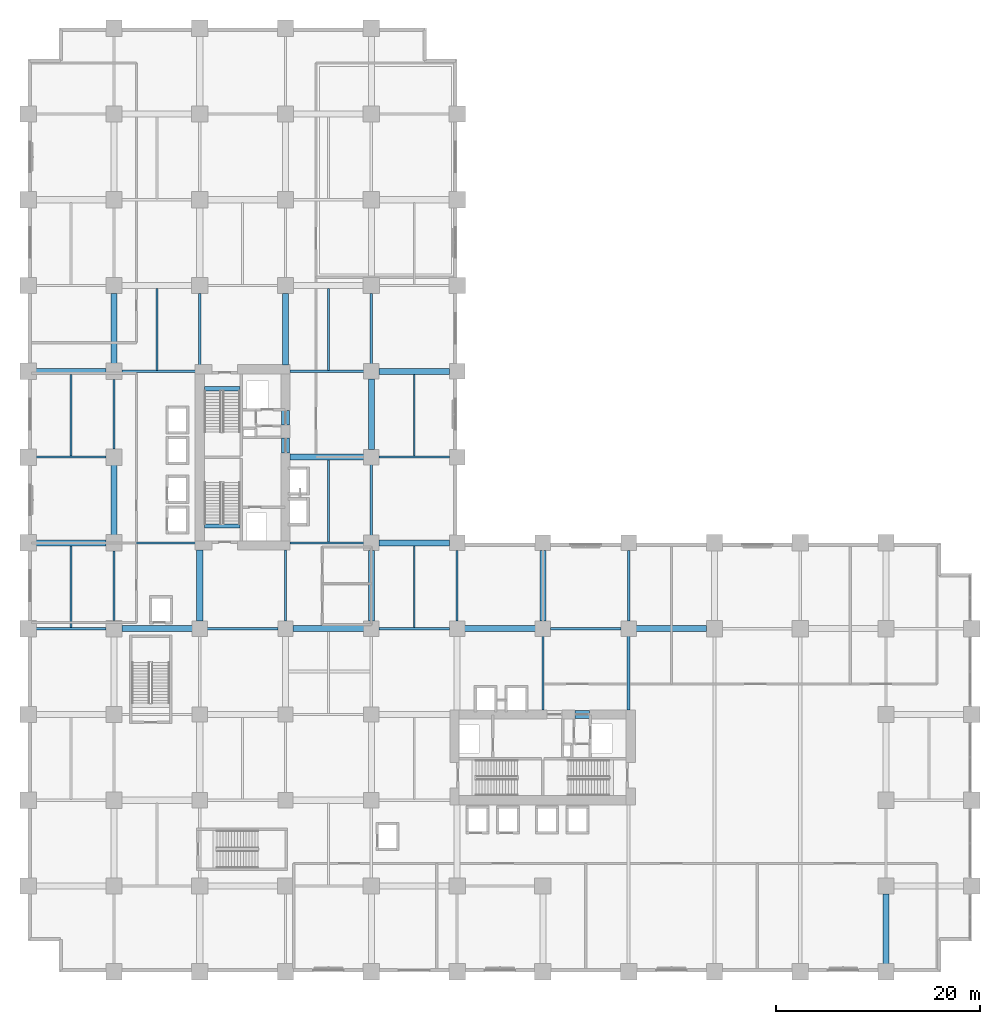
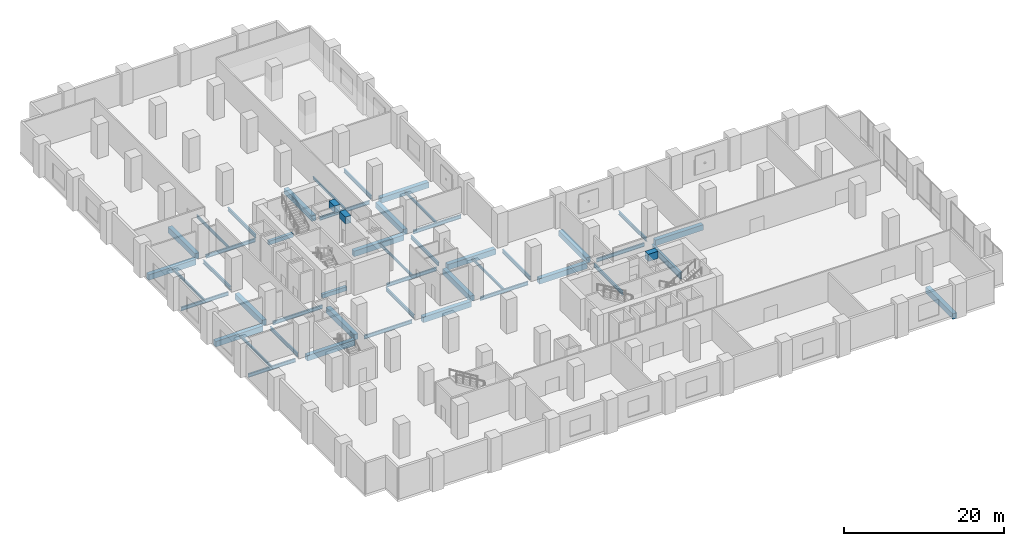
# One storey, part 2 of 23: 49 beams.
"""IFC4 building model written with IfcOpenShell, lengths in metres."""

from ifc_helpers import new_model, si_unit, direction, frame, origin, origin_2d, place, context, subcontext, project, spatial, rectangle, i_section, extrude, material, material_profile, profile_set, type_object, element, save


model = new_model("IFC4")

# Units and contexts
model_context = context("Model", 3, precision=1e-05, world=origin(), true_north=direction((0.0, 1.0)))
body_context = subcontext(model_context, "Body", "Model", "MODEL_VIEW")
ifc_project = project(units=[si_unit("LENGTHUNIT", "METRE"), si_unit("AREAUNIT", "SQUARE_METRE"), si_unit("VOLUMEUNIT", "CUBIC_METRE"), si_unit("PLANEANGLEUNIT", "RADIAN"), si_unit("MASSUNIT", "GRAM", prefix="KILO")], contexts=[model_context])

# Site, building, storey
site_placement = place(None, origin())
site = spatial("IfcSite", under=ifc_project, at=site_placement, CompositionType="ELEMENT")
building_placement = place(site_placement, origin())
building = spatial("IfcBuilding", under=site, at=building_placement, Name="Koriwani Terraces Tower", CompositionType="ELEMENT")
storey_placement = place(building_placement, frame((0.0, 0.0, 20.800048828125)))
storey = spatial("IfcBuildingStorey", under=building, at=storey_placement, Name="L04", CompositionType="ELEMENT", Elevation=20.800048828125)

# Beams
ifc_material_1 = material(Name="Concrete C60/75", Category="concrete")
ifc_material_profile_1 = material_profile(ifc_material_1, rectangle(XDim=0.800048828125, YDim=1.10009765625, at=origin_2d()), Name="Concrete C60/75", Category="LoadBearing")
ifc_profile_set_1 = profile_set([ifc_material_profile_1], Name="Concrete C60/75")
beam_type_1 = type_object("IfcBeamType", Name="BEAM_RC_COUPLING_800X1100", PredefinedType="LINTEL", material=ifc_profile_set_1)
beam_1_placement = place(storey_placement, frame((25.199951171875, 50.800048828125, 4.199951171875), z_axis=(0.0, 1.0, 0.0), x_axis=(-1.0, 0.0, 0.0)))
element("IfcBeam", 1, at=beam_1_placement, inside=storey, type_object=beam_type_1, Name="L04 Core Coupling Lintel Beam WE1", PredefinedType="LINTEL", context=body_context, shape_type="SweptSolid", body=[
    extrude(rectangle(XDim=0.800048828125, YDim=1.10009765625, at=origin_2d()), origin(), (0.0, 0.0, 1.0), 1.47998046875),
])
for number, where, z_axis, x_axis, name in (
    (2, (25.199951171875, 53.550048828125, 4.199951171875), (0.0, 1.0, 0.0), (-1.0, 0.0, 0.0), "L04 Core Coupling Lintel Beam WE2"),
    (3, (53.550048828125, 25.199951171875, 4.199951171875), (1.0, 0.0, 0.0), (0.0, 1.0, 0.0), "L04 Core Coupling Lintel Beam EN2"),
):
    element("IfcBeam", number, at=place(storey_placement, frame(where, z_axis=z_axis, x_axis=x_axis)), inside=storey, type_object=beam_type_1, Name=name, PredefinedType="LINTEL", context=body_context, shape_type="SweptSolid", body=[
        extrude(rectangle(XDim=0.800048828125, YDim=1.10009765625, at=origin_2d()), origin(), (0.0, 0.0, 1.0), 1.39990234375),
    ])
ifc_material_2 = material(Name="Concrete C40/50", Category="concrete")
ifc_material_profile_2 = material_profile(ifc_material_2, rectangle(XDim=0.39990234375, YDim=0.60009765625, at=origin_2d()), Name="Concrete C40/50", Category="LoadBearing")
ifc_profile_set_2 = profile_set([ifc_material_profile_2], Name="Concrete C40/50")
beam_type_2 = type_object("IfcBeamType", Name="BEAM_RC_GRID_400X600", PredefinedType="BEAM", material=ifc_profile_set_2)
for number, where, z_axis, x_axis, name in (
    (4, (17.25, 43.655029296875, -0.300048828125), (1.0, 0.0, 0.0), (0.0, 1.0, 0.0), "L04 Stairwell Header Trimmer Beam ST-W1"),
    (5, (17.25, 57.094970703125, -0.300048828125), (1.0, 0.0, 0.0), (0.0, 1.0, 0.0), "L04 Stairwell Header Trimmer Beam ST-W2"),
):
    element("IfcBeam", number, at=place(storey_placement, frame(where, z_axis=z_axis, x_axis=x_axis)), inside=storey, type_object=beam_type_2, Name=name, PredefinedType="BEAM", context=body_context, shape_type="SweptSolid", body=[
        extrude(rectangle(XDim=0.39990234375, YDim=0.60009765625, at=origin_2d()), origin(), (0.0, 0.0, 1.0), 3.5),
    ])
ifc_material_profile_3 = material_profile(ifc_material_1, rectangle(XDim=0.60009765625, YDim=0.85009765625, at=origin_2d()), Name="Concrete C60/75", Category="LoadBearing")
ifc_profile_set_3 = profile_set([ifc_material_profile_3], Name="Concrete C60/75")
beam_type_3 = type_object("IfcBeamType", Name="BEAM_RC_GRID_600X850", PredefinedType="BEAM", material=ifc_profile_set_3)
beam_2_placement = place(storey_placement, frame((9.179931640625, 33.60009765625, -0.775146484375), z_axis=(1.0, 0.0, 0.0), x_axis=(0.0, 1.0, 0.0)))
element("IfcBeam", 6, at=beam_2_placement, inside=storey, type_object=beam_type_3, Name="L04 Grid Beam E (8.4-16.8m)", PredefinedType="BEAM", context=body_context, shape_type="SweptSolid", body=[
    extrude(rectangle(XDim=0.60009765625, YDim=0.85009765625, at=origin_2d()), origin(), (0.0, 0.0, 1.0), 6.89013671875),
])
beam_3_placement = place(storey_placement, frame((25.929931640625, 33.60009765625, -0.775146484375), z_axis=(1.0, 0.0, 0.0), x_axis=(0.0, 1.0, 0.0)))
element("IfcBeam", 7, at=beam_3_placement, inside=storey, type_object=beam_type_3, Name="L04 Grid Beam E (25.2-33.6m)", PredefinedType="BEAM", context=body_context, shape_type="SweptSolid", body=[
    extrude(rectangle(XDim=0.60009765625, YDim=0.85009765625, at=origin_2d()), origin(), (0.0, 0.0, 1.0), 6.940185546875),
])
beam_4_placement = place(storey_placement, frame((42.72998046875, 33.60009765625, -0.775146484375), z_axis=(1.0, 0.0, 0.0), x_axis=(0.0, 1.0, 0.0)))
element("IfcBeam", 8, at=beam_4_placement, inside=storey, type_object=beam_type_3, Name="L04 Grid Beam E (42.0-50.4m)", PredefinedType="BEAM", context=body_context, shape_type="SweptSolid", body=[
    extrude(rectangle(XDim=0.60009765625, YDim=0.85009765625, at=origin_2d()), origin(), (0.0, 0.0, 1.0), 6.93994140625),
])
beam_5_placement = place(storey_placement, frame((59.530029296875, 33.60009765625, -0.775146484375), z_axis=(1.0, 0.0, 0.0), x_axis=(0.0, 1.0, 0.0)))
element("IfcBeam", 9, at=beam_5_placement, inside=storey, type_object=beam_type_3, Name="L04 Grid Beam E (58.8-67.2m)", PredefinedType="BEAM", context=body_context, shape_type="SweptSolid", body=[
    extrude(rectangle(XDim=0.60009765625, YDim=0.85009765625, at=origin_2d()), origin(), (0.0, 0.0, 1.0), 6.889892578125),
])
beam_6_placement = place(storey_placement, frame((0.780029296875, 42.0, -0.775146484375), z_axis=(1.0, 0.0, 0.0), x_axis=(0.0, 1.0, 0.0)))
element("IfcBeam", 10, at=beam_6_placement, inside=storey, type_object=beam_type_3, Name="L04 Grid Beam F (0.0-8.4m)", PredefinedType="BEAM", context=body_context, shape_type="SweptSolid", body=[
    extrude(rectangle(XDim=0.60009765625, YDim=0.85009765625, at=origin_2d()), origin(), (0.0, 0.0, 1.0), 6.840087890625),
])
beam_7_placement = place(storey_placement, frame((34.330078125, 42.0, -0.775146484375), z_axis=(1.0, 0.0, 0.0), x_axis=(0.0, 1.0, 0.0)))
element("IfcBeam", 11, at=beam_7_placement, inside=storey, type_object=beam_type_3, Name="L04 Grid Beam F (33.6-42.0m)", PredefinedType="BEAM", context=body_context, shape_type="SweptSolid", body=[
    extrude(rectangle(XDim=0.60009765625, YDim=0.85009765625, at=origin_2d()), origin(), (0.0, 0.0, 1.0), 6.93994140625),
])
beam_8_placement = place(storey_placement, frame((25.6298828125, 50.39990234375, -0.775146484375), z_axis=(1.0, 0.0, 0.0), x_axis=(0.0, 1.0, 0.0)))
element("IfcBeam", 12, at=beam_8_placement, inside=storey, type_object=beam_type_3, Name="L04 Grid Beam G (25.2-33.6m)", PredefinedType="BEAM", context=body_context, shape_type="SweptSolid", body=[
    extrude(rectangle(XDim=0.60009765625, YDim=0.85009765625, at=origin_2d()), origin(), (0.0, 0.0, 1.0), 7.240234375),
])
beam_9_placement = place(storey_placement, frame((0.780029296875, 58.800048828125, -0.775146484375), z_axis=(1.0, 0.0, 0.0), x_axis=(0.0, 1.0, 0.0)))
element("IfcBeam", 13, at=beam_9_placement, inside=storey, type_object=beam_type_3, Name="L04 Grid Beam H (0.0-8.4m)", PredefinedType="BEAM", context=body_context, shape_type="SweptSolid", body=[
    extrude(rectangle(XDim=0.60009765625, YDim=0.85009765625, at=origin_2d()), origin(), (0.0, 0.0, 1.0), 6.840087890625),
])
beam_10_placement = place(storey_placement, frame((34.330078125, 58.800048828125, -0.775146484375), z_axis=(1.0, 0.0, 0.0), x_axis=(0.0, 1.0, 0.0)))
element("IfcBeam", 14, at=beam_10_placement, inside=storey, type_object=beam_type_3, Name="L04 Grid Beam H (33.6-42.0m)", PredefinedType="BEAM", context=body_context, shape_type="SweptSolid", body=[
    extrude(rectangle(XDim=0.60009765625, YDim=0.85009765625, at=origin_2d()), origin(), (0.0, 0.0, 1.0), 6.93994140625),
])
beam_11_placement = place(storey_placement, frame((8.39990234375, 42.780029296875, -0.775146484375), z_axis=(0.0, 1.0, 0.0), x_axis=(-1.0, 0.0, 0.0)))
element("IfcBeam", 15, at=beam_11_placement, inside=storey, type_object=beam_type_3, Name="L04 Grid Beam 2 (42.0-50.4m)", PredefinedType="BEAM", context=body_context, shape_type="SweptSolid", body=[
    extrude(rectangle(XDim=0.60009765625, YDim=0.85009765625, at=origin_2d()), origin(), (0.0, 0.0, 1.0), 6.840087890625),
])
beam_12_placement = place(storey_placement, frame((8.39990234375, 59.580078125, -0.775146484375), z_axis=(0.0, 1.0, 0.0), x_axis=(-1.0, 0.0, 0.0)))
element("IfcBeam", 16, at=beam_12_placement, inside=storey, type_object=beam_type_3, Name="L04 Grid Beam 2 (58.8-67.2m)", PredefinedType="BEAM", context=body_context, shape_type="SweptSolid", body=[
    extrude(rectangle(XDim=0.60009765625, YDim=0.85009765625, at=origin_2d()), origin(), (0.0, 0.0, 1.0), 6.83984375),
])
for number, where, z_axis, x_axis, name in (
    (17, (16.800048828125, 34.330078125, -0.775146484375), (0.0, 1.0, 0.0), (-1.0, 0.0, 0.0), "L04 Grid Beam 3 (33.6-42.0m)"),
    (18, (25.199951171875, 59.429931640625, -0.775146484375), (0.0, 1.0, 0.0), (-1.0, 0.0, 0.0), "L04 Grid Beam 4 (58.8-67.2m)"),
):
    element("IfcBeam", number, at=place(storey_placement, frame(where, z_axis=z_axis, x_axis=x_axis)), inside=storey, type_object=beam_type_3, Name=name, PredefinedType="BEAM", context=body_context, shape_type="SweptSolid", body=[
        extrude(rectangle(XDim=0.60009765625, YDim=0.85009765625, at=origin_2d()), origin(), (0.0, 0.0, 1.0), 6.989990234375),
    ])
beam_13_placement = place(storey_placement, frame((33.60009765625, 34.330078125, -0.775146484375), z_axis=(0.0, 1.0, 0.0), x_axis=(-1.0, 0.0, 0.0)))
element("IfcBeam", 19, at=beam_13_placement, inside=storey, type_object=beam_type_3, Name="L04 Grid Beam 5 (33.6-42.0m)", PredefinedType="BEAM", context=body_context, shape_type="SweptSolid", body=[
    extrude(rectangle(XDim=0.60009765625, YDim=0.85009765625, at=origin_2d()), origin(), (0.0, 0.0, 1.0), 6.93994140625),
])
beam_14_placement = place(storey_placement, frame((33.60009765625, 51.1298828125, -0.775146484375), z_axis=(0.0, 1.0, 0.0), x_axis=(-1.0, 0.0, 0.0)))
element("IfcBeam", 20, at=beam_14_placement, inside=storey, type_object=beam_type_3, Name="L04 Grid Beam 5 (50.4-58.8m)", PredefinedType="BEAM", context=body_context, shape_type="SweptSolid", body=[
    extrude(rectangle(XDim=0.60009765625, YDim=0.85009765625, at=origin_2d()), origin(), (0.0, 0.0, 1.0), 6.940185546875),
])
beam_15_placement = place(storey_placement, frame((50.39990234375, 34.330078125, -0.775146484375), z_axis=(0.0, 1.0, 0.0), x_axis=(-1.0, 0.0, 0.0)))
element("IfcBeam", 21, at=beam_15_placement, inside=storey, type_object=beam_type_3, Name="L04 Grid Beam 7 (33.6-42.0m)", PredefinedType="BEAM", context=body_context, shape_type="SweptSolid", body=[
    extrude(rectangle(XDim=0.60009765625, YDim=0.85009765625, at=origin_2d()), origin(), (0.0, 0.0, 1.0), 6.93994140625),
])
beam_16_placement = place(storey_placement, frame((84.0, 0.780029296875, -0.775146484375), z_axis=(0.0, 1.0, 0.0), x_axis=(-1.0, 0.0, 0.0)))
element("IfcBeam", 22, at=beam_16_placement, inside=storey, type_object=beam_type_3, Name="L04 Grid Beam 11 (0.0-8.4m)", PredefinedType="BEAM", context=body_context, shape_type="SweptSolid", body=[
    extrude(rectangle(XDim=0.60009765625, YDim=0.85009765625, at=origin_2d()), origin(), (0.0, 0.0, 1.0), 6.840087890625),
])
ifc_material_3 = material(Name="Steel ASTM A572 Grade 50", Category="steel")
ifc_material_profile_4 = material_profile(ifc_material_3, i_section(OverallWidth=0.300048828125, OverallDepth=0.989990234375, WebThickness=0.0166015625, FlangeThickness=0.031005859375, at=origin_2d()), Name="Steel ASTM A572 Grade 50", Category="LoadBearing")
ifc_profile_set_4 = profile_set([ifc_material_profile_4], Name="Steel ASTM A572 Grade 50")
beam_type_4 = type_object("IfcBeamType", Name="STEEL_BEAM_W1000X321", PredefinedType="USERDEFINED", material=ifc_profile_set_4)
beam_17_placement = place(storey_placement, frame((58.800048828125, 25.6298828125, -0.844970703125), z_axis=(0.0, 1.0, 0.0), x_axis=(-1.0, 0.0, 0.0)))
element("IfcBeam", 23, at=beam_17_placement, inside=storey, type_object=beam_type_4, Name="L04 Grand Ballroom Clear-Span Steel Girder X=58.8m N", ObjectType="GIRDER", PredefinedType="USERDEFINED", context=body_context, shape_type="SweptSolid", body=[
    extrude(i_section(OverallWidth=0.300048828125, OverallDepth=0.989990234375, WebThickness=0.0166015625, FlangeThickness=0.031005859375, at=origin_2d()), origin(), (0.0, 0.0, 1.0), 7.240234375),
])
ifc_material_profile_5 = material_profile(ifc_material_3, i_section(OverallWidth=0.180908203125, OverallDepth=0.4169921875, WebThickness=0.010986328125, FlangeThickness=0.018310546875, at=origin_2d()), Name="Steel ASTM A572 Grade 50", Category="LoadBearing")
ifc_profile_set_5 = profile_set([ifc_material_profile_5], Name="Steel ASTM A572 Grade 50")
beam_type_5 = type_object("IfcBeamType", Name="STEEL_BEAM_W410X85", PredefinedType="JOIST", material=ifc_profile_set_5)
for number, where, z_axis, x_axis, name in (
    (24, (4.199951171875, 33.696044921875, -0.55859375), (0.0, 1.0, 0.0), (-1.0, 0.0, 0.0), "L04 Secondary Steel Floor Joist X=4.2m"),
    (25, (4.199951171875, 50.49609375, -0.55859375), (0.0, 1.0, 0.0), (-1.0, 0.0, 0.0), "L04 Secondary Steel Floor Joist X=4.2m"),
    (26, (12.60009765625, 58.89599609375, -0.55859375), (0.0, 1.0, 0.0), (-1.0, 0.0, 0.0), "L04 Secondary Steel Floor Joist X=12.6m"),
):
    element("IfcBeam", number, at=place(storey_placement, frame(where, z_axis=z_axis, x_axis=x_axis)), inside=storey, type_object=beam_type_5, Name=name, PredefinedType="JOIST", context=body_context, shape_type="SweptSolid", body=[
        extrude(i_section(OverallWidth=0.180908203125, OverallDepth=0.4169921875, WebThickness=0.010986328125, FlangeThickness=0.018310546875, at=origin_2d()), origin(), (0.0, 0.0, 1.0), 8.013916015625),
    ])
beam_18_placement = place(storey_placement, frame((29.39990234375, 42.095947265625, -0.55859375), z_axis=(0.0, 1.0, 0.0), x_axis=(-1.0, 0.0, 0.0)))
element("IfcBeam", 27, at=beam_18_placement, inside=storey, type_object=beam_type_5, Name="L04 Secondary Steel Floor Joist X=29.4m", PredefinedType="JOIST", context=body_context, shape_type="SweptSolid", body=[
    extrude(i_section(OverallWidth=0.180908203125, OverallDepth=0.4169921875, WebThickness=0.010986328125, FlangeThickness=0.018310546875, at=origin_2d()), origin(), (0.0, 0.0, 1.0), 8.01416015625),
])
for number, where, z_axis, x_axis, name in (
    (28, (29.39990234375, 58.89599609375, -0.55859375), (0.0, 1.0, 0.0), (-1.0, 0.0, 0.0), "L04 Secondary Steel Floor Joist X=29.4m"),
    (29, (37.800048828125, 33.696044921875, -0.55859375), (0.0, 1.0, 0.0), (-1.0, 0.0, 0.0), "L04 Secondary Steel Floor Joist X=37.8m"),
    (30, (37.800048828125, 50.49609375, -0.55859375), (0.0, 1.0, 0.0), (-1.0, 0.0, 0.0), "L04 Secondary Steel Floor Joist X=37.8m"),
):
    element("IfcBeam", number, at=place(storey_placement, frame(where, z_axis=z_axis, x_axis=x_axis)), inside=storey, type_object=beam_type_5, Name=name, PredefinedType="JOIST", context=body_context, shape_type="SweptSolid", body=[
        extrude(i_section(OverallWidth=0.180908203125, OverallDepth=0.4169921875, WebThickness=0.010986328125, FlangeThickness=0.018310546875, at=origin_2d()), origin(), (0.0, 0.0, 1.0), 8.013916015625),
    ])
ifc_material_profile_6 = material_profile(ifc_material_3, i_section(OverallWidth=0.2119140625, OverallDepth=0.54296875, WebThickness=0.0126953125, FlangeThickness=0.021240234375, at=origin_2d()), Name="Steel ASTM A572 Grade 50", Category="LoadBearing")
ifc_profile_set_6 = profile_set([ifc_material_profile_6], Name="Steel ASTM A572 Grade 50")
beam_type_6 = type_object("IfcBeamType", Name="STEEL_BEAM_W530X150", PredefinedType="BEAM", material=ifc_profile_set_6)
beam_19_placement = place(storey_placement, frame((0.780029296875, 33.60009765625, -0.62158203125), z_axis=(1.0, 0.0, 0.0), x_axis=(0.0, 1.0, 0.0)))
element("IfcBeam", 31, at=beam_19_placement, inside=storey, type_object=beam_type_6, Name="L04 Grid Beam E (0.0-8.4m)", PredefinedType="BEAM", context=body_context, shape_type="SweptSolid", body=[
    extrude(i_section(OverallWidth=0.2119140625, OverallDepth=0.54296875, WebThickness=0.0126953125, FlangeThickness=0.021240234375, at=origin_2d()), origin(), (0.0, 0.0, 1.0), 6.840087890625),
])
for number, where, z_axis, x_axis, name in (
    (32, (17.530029296875, 33.60009765625, -0.62158203125), (1.0, 0.0, 0.0), (0.0, 1.0, 0.0), "L04 Grid Beam E (16.8-25.2m)"),
    (33, (34.330078125, 33.60009765625, -0.62158203125), (1.0, 0.0, 0.0), (0.0, 1.0, 0.0), "L04 Grid Beam E (33.6-42.0m)"),
):
    element("IfcBeam", number, at=place(storey_placement, frame(where, z_axis=z_axis, x_axis=x_axis)), inside=storey, type_object=beam_type_6, Name=name, PredefinedType="BEAM", context=body_context, shape_type="SweptSolid", body=[
        extrude(i_section(OverallWidth=0.2119140625, OverallDepth=0.54296875, WebThickness=0.0126953125, FlangeThickness=0.021240234375, at=origin_2d()), origin(), (0.0, 0.0, 1.0), 6.93994140625),
    ])
beam_20_placement = place(storey_placement, frame((51.1298828125, 33.60009765625, -0.62158203125), z_axis=(1.0, 0.0, 0.0), x_axis=(0.0, 1.0, 0.0)))
element("IfcBeam", 34, at=beam_20_placement, inside=storey, type_object=beam_type_6, Name="L04 Grid Beam E (50.4-58.8m)", PredefinedType="BEAM", context=body_context, shape_type="SweptSolid", body=[
    extrude(i_section(OverallWidth=0.2119140625, OverallDepth=0.54296875, WebThickness=0.0126953125, FlangeThickness=0.021240234375, at=origin_2d()), origin(), (0.0, 0.0, 1.0), 6.940185546875),
])
beam_21_placement = place(storey_placement, frame((9.179931640625, 42.0, -0.62158203125), z_axis=(1.0, 0.0, 0.0), x_axis=(0.0, 1.0, 0.0)))
element("IfcBeam", 35, at=beam_21_placement, inside=storey, type_object=beam_type_6, Name="L04 Grid Beam F (8.4-16.8m)", PredefinedType="BEAM", context=body_context, shape_type="SweptSolid", body=[
    extrude(i_section(OverallWidth=0.2119140625, OverallDepth=0.54296875, WebThickness=0.0126953125, FlangeThickness=0.021240234375, at=origin_2d()), origin(), (0.0, 0.0, 1.0), 7.190185546875),
])
beam_22_placement = place(storey_placement, frame((25.6298828125, 42.0, -0.62158203125), z_axis=(1.0, 0.0, 0.0), x_axis=(0.0, 1.0, 0.0)))
element("IfcBeam", 36, at=beam_22_placement, inside=storey, type_object=beam_type_6, Name="L04 Grid Beam F (25.2-33.6m)", PredefinedType="BEAM", context=body_context, shape_type="SweptSolid", body=[
    extrude(i_section(OverallWidth=0.2119140625, OverallDepth=0.54296875, WebThickness=0.0126953125, FlangeThickness=0.021240234375, at=origin_2d()), origin(), (0.0, 0.0, 1.0), 7.240234375),
])
beam_23_placement = place(storey_placement, frame((0.780029296875, 50.39990234375, -0.62158203125), z_axis=(1.0, 0.0, 0.0), x_axis=(0.0, 1.0, 0.0)))
element("IfcBeam", 37, at=beam_23_placement, inside=storey, type_object=beam_type_6, Name="L04 Grid Beam G (0.0-8.4m)", PredefinedType="BEAM", context=body_context, shape_type="SweptSolid", body=[
    extrude(i_section(OverallWidth=0.2119140625, OverallDepth=0.54296875, WebThickness=0.0126953125, FlangeThickness=0.021240234375, at=origin_2d()), origin(), (0.0, 0.0, 1.0), 6.840087890625),
])
beam_24_placement = place(storey_placement, frame((34.330078125, 50.39990234375, -0.62158203125), z_axis=(1.0, 0.0, 0.0), x_axis=(0.0, 1.0, 0.0)))
element("IfcBeam", 38, at=beam_24_placement, inside=storey, type_object=beam_type_6, Name="L04 Grid Beam G (33.6-42.0m)", PredefinedType="BEAM", context=body_context, shape_type="SweptSolid", body=[
    extrude(i_section(OverallWidth=0.2119140625, OverallDepth=0.54296875, WebThickness=0.0126953125, FlangeThickness=0.021240234375, at=origin_2d()), origin(), (0.0, 0.0, 1.0), 6.93994140625),
])
beam_25_placement = place(storey_placement, frame((9.179931640625, 58.800048828125, -0.62158203125), z_axis=(1.0, 0.0, 0.0), x_axis=(0.0, 1.0, 0.0)))
element("IfcBeam", 39, at=beam_25_placement, inside=storey, type_object=beam_type_6, Name="L04 Grid Beam H (8.4-16.8m)", PredefinedType="BEAM", context=body_context, shape_type="SweptSolid", body=[
    extrude(i_section(OverallWidth=0.2119140625, OverallDepth=0.54296875, WebThickness=0.0126953125, FlangeThickness=0.021240234375, at=origin_2d()), origin(), (0.0, 0.0, 1.0), 7.190185546875),
])
beam_26_placement = place(storey_placement, frame((25.6298828125, 58.800048828125, -0.62158203125), z_axis=(1.0, 0.0, 0.0), x_axis=(0.0, 1.0, 0.0)))
element("IfcBeam", 40, at=beam_26_placement, inside=storey, type_object=beam_type_6, Name="L04 Grid Beam H (25.2-33.6m)", PredefinedType="BEAM", context=body_context, shape_type="SweptSolid", body=[
    extrude(i_section(OverallWidth=0.2119140625, OverallDepth=0.54296875, WebThickness=0.0126953125, FlangeThickness=0.021240234375, at=origin_2d()), origin(), (0.0, 0.0, 1.0), 7.240234375),
])
for number, where, z_axis, x_axis, name in (
    (41, (8.39990234375, 34.3798828125, -0.62158203125), (0.0, 1.0, 0.0), (-1.0, 0.0, 0.0), "L04 Grid Beam 2 (33.6-42.0m)"),
    (42, (8.39990234375, 51.179931640625, -0.62158203125), (0.0, 1.0, 0.0), (-1.0, 0.0, 0.0), "L04 Grid Beam 2 (50.4-58.8m)"),
):
    element("IfcBeam", number, at=place(storey_placement, frame(where, z_axis=z_axis, x_axis=x_axis)), inside=storey, type_object=beam_type_6, Name=name, PredefinedType="BEAM", context=body_context, shape_type="SweptSolid", body=[
        extrude(i_section(OverallWidth=0.2119140625, OverallDepth=0.54296875, WebThickness=0.0126953125, FlangeThickness=0.021240234375, at=origin_2d()), origin(), (0.0, 0.0, 1.0), 6.840087890625),
    ])
for number, where, z_axis, x_axis, name in (
    (43, (16.800048828125, 59.429931640625, -0.62158203125), (0.0, 1.0, 0.0), (-1.0, 0.0, 0.0), "L04 Grid Beam 3 (58.8-67.2m)"),
    (44, (25.199951171875, 34.330078125, -0.62158203125), (0.0, 1.0, 0.0), (-1.0, 0.0, 0.0), "L04 Grid Beam 4 (33.6-42.0m)"),
):
    element("IfcBeam", number, at=place(storey_placement, frame(where, z_axis=z_axis, x_axis=x_axis)), inside=storey, type_object=beam_type_6, Name=name, PredefinedType="BEAM", context=body_context, shape_type="SweptSolid", body=[
        extrude(i_section(OverallWidth=0.2119140625, OverallDepth=0.54296875, WebThickness=0.0126953125, FlangeThickness=0.021240234375, at=origin_2d()), origin(), (0.0, 0.0, 1.0), 6.989990234375),
    ])
beam_27_placement = place(storey_placement, frame((33.60009765625, 42.72998046875, -0.62158203125), z_axis=(0.0, 1.0, 0.0), x_axis=(-1.0, 0.0, 0.0)))
element("IfcBeam", 45, at=beam_27_placement, inside=storey, type_object=beam_type_6, Name="L04 Grid Beam 5 (42.0-50.4m)", PredefinedType="BEAM", context=body_context, shape_type="SweptSolid", body=[
    extrude(i_section(OverallWidth=0.2119140625, OverallDepth=0.54296875, WebThickness=0.0126953125, FlangeThickness=0.021240234375, at=origin_2d()), origin(), (0.0, 0.0, 1.0), 6.93994140625),
])
beam_28_placement = place(storey_placement, frame((33.60009765625, 59.530029296875, -0.62158203125), z_axis=(0.0, 1.0, 0.0), x_axis=(-1.0, 0.0, 0.0)))
element("IfcBeam", 46, at=beam_28_placement, inside=storey, type_object=beam_type_6, Name="L04 Grid Beam 5 (58.8-67.2m)", PredefinedType="BEAM", context=body_context, shape_type="SweptSolid", body=[
    extrude(i_section(OverallWidth=0.2119140625, OverallDepth=0.54296875, WebThickness=0.0126953125, FlangeThickness=0.021240234375, at=origin_2d()), origin(), (0.0, 0.0, 1.0), 6.889892578125),
])
beam_29_placement = place(storey_placement, frame((42.0, 34.330078125, -0.62158203125), z_axis=(0.0, 1.0, 0.0), x_axis=(-1.0, 0.0, 0.0)))
element("IfcBeam", 47, at=beam_29_placement, inside=storey, type_object=beam_type_6, Name="L04 Grid Beam 6 (33.6-42.0m)", PredefinedType="BEAM", context=body_context, shape_type="SweptSolid", body=[
    extrude(i_section(OverallWidth=0.2119140625, OverallDepth=0.54296875, WebThickness=0.0126953125, FlangeThickness=0.021240234375, at=origin_2d()), origin(), (0.0, 0.0, 1.0), 6.93994140625),
])
beam_30_placement = place(storey_placement, frame((50.39990234375, 25.6298828125, -0.62158203125), z_axis=(0.0, 1.0, 0.0), x_axis=(-1.0, 0.0, 0.0)))
element("IfcBeam", 48, at=beam_30_placement, inside=storey, type_object=beam_type_6, Name="L04 Grid Beam 7 (25.2-33.6m)", PredefinedType="BEAM", context=body_context, shape_type="SweptSolid", body=[
    extrude(i_section(OverallWidth=0.2119140625, OverallDepth=0.54296875, WebThickness=0.0126953125, FlangeThickness=0.021240234375, at=origin_2d()), origin(), (0.0, 0.0, 1.0), 7.240234375),
])
beam_31_placement = place(storey_placement, frame((58.800048828125, 34.330078125, -0.62158203125), z_axis=(0.0, 1.0, 0.0), x_axis=(-1.0, 0.0, 0.0)))
element("IfcBeam", 49, at=beam_31_placement, inside=storey, type_object=beam_type_6, Name="L04 Grid Beam 8 (33.6-42.0m)", PredefinedType="BEAM", context=body_context, shape_type="SweptSolid", body=[
    extrude(i_section(OverallWidth=0.2119140625, OverallDepth=0.54296875, WebThickness=0.0126953125, FlangeThickness=0.021240234375, at=origin_2d()), origin(), (0.0, 0.0, 1.0), 6.93994140625),
])

save(model, "model.ifc")
